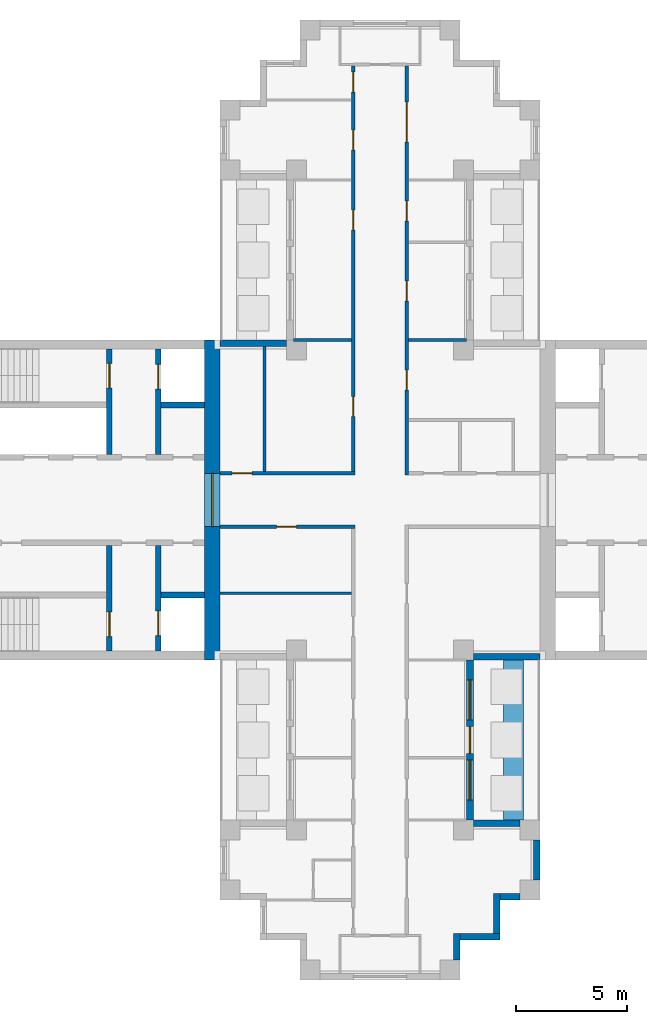
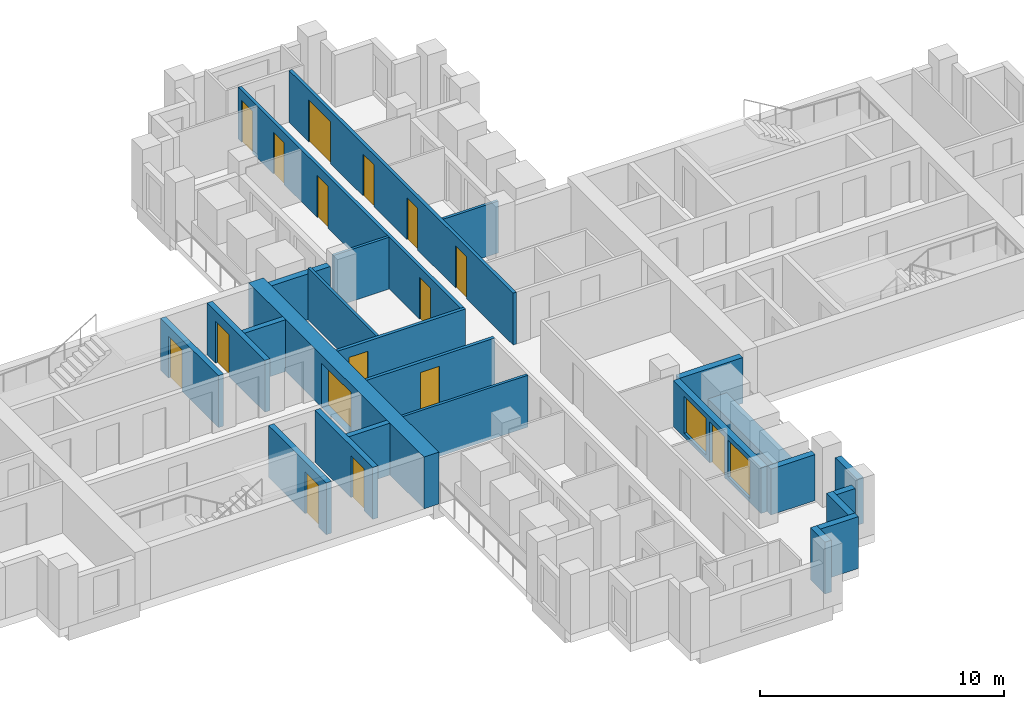
# One storey, part 4 of 9: 25 walls, 16 doors, 2 windows, 18 openings.
"""IFC4 building model written with IfcOpenShell, lengths in metres."""

import ifcopenshell
import ifcopenshell.guid

model = None  # the IFC model being written
_history = None  # IfcOwnerHistory: only IFC2X3 demands one
_inside = {}  # id of a spatial element -> (the spatial element, [elements in it])
_under = {}  # id of a project, library or spatial element -> (it, [spatial elements below it])
_declared = {}  # id of a project -> (the project, [libraries it declares])
_typed = {}  # id of a type object -> (the type object, [elements of that type])
_made_of = {}  # id of a material, layer set ... -> (it, [elements and type objects made of it])


def new_model(schema):
    """Start an empty IFC model of exactly this schema.

    Asked for "IFC4X3", IfcOpenShell would pick the latest addendum, in which some entities
    have other attributes; the version numbers below select the first issue.
    IFC2X3 requires an IfcOwnerHistory on every rooted entity: one is made here for all.
    """
    global model, _history
    if schema == "IFC4X3":
        model = ifcopenshell.file(schema_version=(4, 3, 0, 0))
    else:
        model = ifcopenshell.file(schema=schema)
    _inside.clear()
    _under.clear()
    _declared.clear()
    _typed.clear()
    _made_of.clear()
    _history = None
    if model.schema == "IFC2X3":
        org = make("IfcOrganization", Name="unknown")
        user = make(
            "IfcPersonAndOrganization",
            ThePerson=make("IfcPerson", FamilyName="unknown"),
            TheOrganization=org,
        )
        app = make(
            "IfcApplication",
            ApplicationDeveloper=org,
            Version="unknown",
            ApplicationFullName="unknown",
            ApplicationIdentifier="unknown",
        )
        _history = make(
            "IfcOwnerHistory",
            OwningUser=user,
            OwningApplication=app,
            ChangeAction="ADDED",
            CreationDate=0,
        )
    return model


def make(cls, **values):
    """One entity of the class cls with the attributes given. An attribute that is None is left unset."""
    return model.create_entity(
        cls, **{name: value for name, value in values.items() if value is not None}
    )


def rooted(cls, **values):
    """An entity with a GlobalId (a new one), such as an element, a storey or a relation."""
    return make(cls, GlobalId=ifcopenshell.guid.new(), OwnerHistory=_history, **values)


def si_unit(unit_type, name, prefix=None):
    """IfcSIUnit, for example si_unit("LENGTHUNIT", "METRE", prefix="MILLI")."""
    return make("IfcSIUnit", UnitType=unit_type, Prefix=prefix, Name=name)


def assignment(units):
    """IfcUnitAssignment: the units of a project."""
    return None if units is None else make("IfcUnitAssignment", Units=units)


def point(xyz):
    """IfcCartesianPoint."""
    return None if xyz is None else make("IfcCartesianPoint", Coordinates=xyz)


def direction(xyz):
    """IfcDirection."""
    return None if xyz is None else make("IfcDirection", DirectionRatios=xyz)


def frame(location, z_axis=None, x_axis=None):
    """IfcAxis2Placement3D, a coordinate frame: its origin and axes. An axis left out is left unset."""
    return make(
        "IfcAxis2Placement3D",
        Location=point(location),
        Axis=direction(z_axis),
        RefDirection=direction(x_axis),
    )


def frame_2d(location, x_axis=None):
    """IfcAxis2Placement2D, a coordinate frame in the plane: its origin and x axis."""
    return make(
        "IfcAxis2Placement2D", Location=point(location), RefDirection=direction(x_axis)
    )


def origin():
    """The frame at (0, 0, 0) with its axes left unset."""
    return frame((0.0, 0.0, 0.0))


def place(relative_to, where):
    """IfcLocalPlacement: puts the frame where relative to a parent placement (None: the world)."""
    return make(
        "IfcLocalPlacement", PlacementRelTo=relative_to, RelativePlacement=where
    )


def context(
    kind, dimensions, precision=None, world=None, true_north=None, identifier=None
):
    """IfcGeometricRepresentationContext, for example the 3D "Model" context."""
    return make(
        "IfcGeometricRepresentationContext",
        ContextIdentifier=identifier,
        ContextType=kind,
        CoordinateSpaceDimension=dimensions,
        Precision=precision,
        WorldCoordinateSystem=world,
        TrueNorth=true_north,
    )


def subcontext(parent, identifier, kind, view, scale=None):
    """IfcGeometricRepresentationSubContext, for example "Body" below "Model"."""
    return make(
        "IfcGeometricRepresentationSubContext",
        ContextIdentifier=identifier,
        ContextType=kind,
        ParentContext=parent,
        TargetScale=scale,
        TargetView=view,
    )


def project(units=None, contexts=None):
    """IfcProject with its units and contexts."""
    return rooted(
        "IfcProject",
        Name="project",
        RepresentationContexts=contexts,
        UnitsInContext=assignment(units),
    )


def spatial(cls, under=None, at=None, **own):
    """A site, building, storey or space (cls), placed at a placement, below another one or the project."""
    s = rooted(cls, ObjectPlacement=at, **own)
    if under is not None:
        _under.setdefault(under.id(), (under, []))[1].append(s)
    return s


def profile(cls, at=None, kind="AREA", **sizes):
    """A parametric profile (cls). Its sizes go by their IFC names, for example OverallWidth=200.0."""
    return make(cls, ProfileType=kind, Position=at, **sizes)


def rectangle(**sizes):
    """IfcRectangleProfileDef."""
    return profile("IfcRectangleProfileDef", **sizes)


def extrude(swept, where, along, depth):
    """IfcExtrudedAreaSolid: the profile swept, set in the frame where, extruded along a direction by depth."""
    return make(
        "IfcExtrudedAreaSolid",
        SweptArea=swept,
        Position=where,
        ExtrudedDirection=direction(along),
        Depth=depth,
    )


def shape(context_of_items, identifier, shape_type, items):
    """IfcShapeRepresentation: the items that make up one representation, for example the "Body"."""
    return make(
        "IfcShapeRepresentation",
        ContextOfItems=context_of_items,
        RepresentationIdentifier=identifier,
        RepresentationType=shape_type,
        Items=items,
    )


def material(Name=None, Category=None):
    """IfcMaterial."""
    return make("IfcMaterial", Name=Name, Category=Category)


def layer(
    of_material, thickness, ventilated=None, Name=None, Category=None, Priority=None
):
    """IfcMaterialLayer: one layer of a wall or slab, of a material (None: an air gap)."""
    return make(
        "IfcMaterialLayer",
        Material=of_material,
        LayerThickness=thickness,
        IsVentilated=ventilated,
        Name=Name,
        Category=Category,
        Priority=Priority,
    )


def layer_set(layers, Name=None):
    """IfcMaterialLayerSet."""
    return make("IfcMaterialLayerSet", MaterialLayers=layers, LayerSetName=Name)


def made_of(thing, what):
    """Note that an element or type object is made of a material, layer set ...; save() writes the relation."""
    if what is not None:
        _made_of.setdefault(what.id(), (what, []))[1].append(thing)
    return thing


def type_object(cls, material=None, **own):
    """A type object (cls), such as IfcWallType, which elements share."""
    return made_of(rooted(cls, **own), material)


def element(
    cls,
    number,
    at=None,
    inside=None,
    cuts=None,
    type_object=None,
    material=None,
    context=None,
    identifier="Body",
    shape_type=None,
    held_by="IfcProductDefinitionShape",
    body=None,
    shapes=None,
    **own,
):
    """One element of the class cls, such as IfcWall. Its Tag is "e" and its number.

    at: its placement. inside: the storey or other place that contains it. cuts: it is an
    opening in that element (IfcRelVoidsElement). A single representation is given by context,
    identifier, shape_type and body (its items); several are given by shapes. held_by: the class
    of the entity that holds the representations. save() writes the other relations.
    """
    e = rooted(cls, Tag="e%d" % number, ObjectPlacement=at, **own)
    if body is not None:
        shapes = [shape(context, identifier, shape_type, body)]
    if shapes is not None:
        e.Representation = make(held_by, Representations=shapes)
    if inside is not None:
        _inside.setdefault(inside.id(), (inside, []))[1].append(e)
    if cuts is not None:
        rooted(
            "IfcRelVoidsElement", RelatingBuildingElement=cuts, RelatedOpeningElement=e
        )
    if type_object is not None:
        _typed.setdefault(type_object.id(), (type_object, []))[1].append(e)
    return made_of(e, material)


def fill(opening, filler):
    """IfcRelFillsElement: the door or window that sits in an opening."""
    return rooted(
        "IfcRelFillsElement",
        RelatingOpeningElement=opening,
        RelatedBuildingElement=filler,
    )


def aggregate(whole, parts):
    """IfcRelAggregates: a whole, such as a stair, and the parts it consists of."""
    return rooted("IfcRelAggregates", RelatingObject=whole, RelatedObjects=parts)


def save(model, path):
    """Write the relations noted so far, then the file.

    IfcRelAggregates (storeys below a building ...), IfcRelContainedInSpatialStructure (elements
    in a storey), IfcRelDefinesByType, IfcRelAssociatesMaterial and IfcRelDeclares: one each for
    every whole, place, type object, material and project.
    """
    for whole, parts in _under.values():
        aggregate(whole, parts)
    for where, things in _inside.values():
        rooted(
            "IfcRelContainedInSpatialStructure",
            RelatedElements=things,
            RelatingStructure=where,
        )
    for kind, things in _typed.values():
        rooted("IfcRelDefinesByType", RelatedObjects=things, RelatingType=kind)
    for what, things in _made_of.values():
        rooted("IfcRelAssociatesMaterial", RelatedObjects=things, RelatingMaterial=what)
    for by, libraries in _declared.values():
        rooted("IfcRelDeclares", RelatingContext=by, RelatedDefinitions=libraries)
    model.write(path)


model = new_model("IFC4")

# Units and contexts
model_context = context("Model", 3, precision=1e-05, world=origin(), true_north=direction((0.0, 1.0)))
body_context = subcontext(model_context, "Body", "Model", "MODEL_VIEW")
ifc_project = project(units=[si_unit("LENGTHUNIT", "METRE"), si_unit("AREAUNIT", "SQUARE_METRE"), si_unit("VOLUMEUNIT", "CUBIC_METRE"), si_unit("PLANEANGLEUNIT", "RADIAN"), si_unit("MASSUNIT", "GRAM", prefix="KILO")], contexts=[model_context])

# Site, building, storey
site_placement = place(None, origin())
site = spatial("IfcSite", under=ifc_project, at=site_placement, CompositionType="ELEMENT")
building_placement = place(site_placement, origin())
building = spatial("IfcBuilding", under=site, at=building_placement, Name="Fustian Cross Tower", CompositionType="ELEMENT")
storey_placement = place(building_placement, frame((0.0, 0.0, 216.89990234375)))
storey = spatial("IfcBuildingStorey", under=building, at=storey_placement, Name="L68", CompositionType="ELEMENT", Elevation=216.89990234375)

# Wall, opening, door
ifc_material_1 = material(Name="Plasterboard on steel stud", Category="steel")
ifc_layer_1 = layer(ifc_material_1, 0.14990234375)
ifc_layer_set_1 = layer_set([ifc_layer_1], Name="Plasterboard on steel stud")
wall_type_1 = type_object("IfcWallType", Name="COMPARTMENT WALL 150 EI 60", PredefinedType="PARTITIONING", material=ifc_layer_set_1)
wall_1_placement = place(storey_placement, frame((-7.199951171875, -1.199951171875, 0.0), z_axis=(0.0, 0.0, 1.0), x_axis=(1.0, 0.0, 0.0)))
wall_1 = element("IfcWall", 1, at=wall_1_placement, inside=storey, type_object=wall_type_1, Name="Partition 12", PredefinedType="PARTITIONING", context=body_context, shape_type="SweptSolid", body=[
    extrude(rectangle(XDim=6.074951171875, YDim=0.14990234375, at=frame_2d((3.03759765625, 0.0))), origin(), (0.0, 0.0, 1.0), 2.60009765625),
])
opening_1_placement = place(wall_1_placement, frame((2.550048828125, 0.0, 0.0)))
opening_1 = element("IfcOpeningElement", 2, at=opening_1_placement, cuts=wall_1, Name="Opening D31007", PredefinedType="OPENING", context=body_context, shape_type="SweptSolid", body=[
    extrude(rectangle(XDim=0.89990234375, YDim=2.10009765625, at=frame_2d((0.449951171875, 1.050048828125))), frame((0.0, 0.0849609375, 0.0), z_axis=(0.0, -1.0, 0.0), x_axis=(1.0, 0.0, 0.0)), (0.0, 0.0, 1.0), 0.169921875),
])
ifc_material_2 = material(Name="Timber fire door set", Category="wood")
door_type_1 = type_object("IfcDoorType", Name="FIRE SWING DOOR 900 FD30S", OperationType="SINGLE_SWING_LEFT", PredefinedType="DOOR", material=ifc_material_2)
door_1_placement = place(opening_1_placement, frame((0.89990234375, 0.0, 0.0), z_axis=(0.0, 0.0, 1.0), x_axis=(-1.0, 0.0, 0.0)))
door_1 = element("IfcDoor", 3, at=door_1_placement, inside=storey, type_object=door_type_1, Name="Door D31007", OperationType="SINGLE_SWING_RIGHT", OverallHeight=2.10009765625, OverallWidth=0.89990234375, PredefinedType="DOOR", context=body_context, shape_type="SweptSolid", body=[
    extrude(rectangle(XDim=0.89990234375, YDim=2.10009765625, at=frame_2d((0.449951171875, 1.050048828125))), frame((0.0, 0.02490234375, 0.0), z_axis=(0.0, -1.0, 0.0), x_axis=(1.0, 0.0, 0.0)), (0.0, 0.0, 1.0), 0.050048828125),
])
fill(opening_1, door_1)

wall_2_placement = place(storey_placement, frame((-7.199951171875, 1.199951171875, 0.0), z_axis=(0.0, 0.0, 1.0), x_axis=(1.0, 0.0, 0.0)))
wall_2 = element("IfcWall", 4, at=wall_2_placement, inside=storey, type_object=wall_type_1, Name="Partition 13", PredefinedType="PARTITIONING", context=body_context, shape_type="SweptSolid", body=[
    extrude(rectangle(XDim=6.074951171875, YDim=0.14990234375, at=frame_2d((3.03759765625, 0.0))), origin(), (0.0, 0.0, 1.0), 2.60009765625),
])
opening_2_placement = place(wall_2_placement, frame((0.550048828125, 0.0, 0.0)))
opening_2 = element("IfcOpeningElement", 5, at=opening_2_placement, cuts=wall_2, Name="Opening D31005", PredefinedType="OPENING", context=body_context, shape_type="SweptSolid", body=[
    extrude(rectangle(XDim=0.89990234375, YDim=2.10009765625, at=frame_2d((0.449951171875, 1.050048828125))), frame((0.0, 0.0849609375, 0.0), z_axis=(0.0, -1.0, 0.0), x_axis=(1.0, 0.0, 0.0)), (0.0, 0.0, 1.0), 0.169921875),
])
door_2_placement = place(opening_2_placement, origin())
door_2 = element("IfcDoor", 6, at=door_2_placement, inside=storey, type_object=door_type_1, Name="Door D31005", OperationType="SINGLE_SWING_LEFT", OverallHeight=2.10009765625, OverallWidth=0.89990234375, PredefinedType="DOOR", context=body_context, shape_type="SweptSolid", body=[
    extrude(rectangle(XDim=0.89990234375, YDim=2.10009765625, at=frame_2d((0.449951171875, 1.050048828125))), frame((0.0, 0.02490234375, 0.0), z_axis=(0.0, -1.0, 0.0), x_axis=(1.0, 0.0, 0.0)), (0.0, 0.0, 1.0), 0.050048828125),
])
fill(opening_2, door_2)

# Wall, openings, doors
wall_3_placement = place(storey_placement, frame((-1.199951171875, 1.27490234375, 0.0), z_axis=(0.0, 0.0, 1.0), x_axis=(0.0, 1.0, 0.0)))
wall_3 = element("IfcWall", 7, at=wall_3_placement, inside=storey, type_object=wall_type_1, Name="Partition 31", PredefinedType="PARTITIONING", context=body_context, shape_type="SweptSolid", body=[
    extrude(rectangle(XDim=18.25, YDim=0.14990234375, at=frame_2d((9.125, 0.0))), origin(), (0.0, 0.0, 1.0), 2.60009765625),
])
opening_3_placement = place(wall_3_placement, frame((2.47509765625, 0.0, 0.0)))
opening_3 = element("IfcOpeningElement", 8, at=opening_3_placement, cuts=wall_3, Name="Opening D31004", PredefinedType="OPENING", context=body_context, shape_type="SweptSolid", body=[
    extrude(rectangle(XDim=0.89990234375, YDim=2.10009765625, at=frame_2d((0.449951171875, 1.050048828125))), frame((0.0, 0.0849609375, 0.0), z_axis=(0.0, -1.0, 0.0), x_axis=(1.0, 0.0, 0.0)), (0.0, 0.0, 1.0), 0.169921875),
])
opening_4_placement = place(wall_3_placement, frame((10.875, 0.0, 0.0)))
opening_4 = element("IfcOpeningElement", 9, at=opening_4_placement, cuts=wall_3, Name="Opening D31016", PredefinedType="OPENING", context=body_context, shape_type="SweptSolid", body=[
    extrude(rectangle(XDim=0.89990234375, YDim=2.10009765625, at=frame_2d((0.449951171875, 1.050048828125))), frame((0.0, 0.0849609375, 0.0), z_axis=(0.0, -1.0, 0.0), x_axis=(1.0, 0.0, 0.0)), (0.0, 0.0, 1.0), 0.169921875),
])
opening_5_placement = place(wall_3_placement, frame((14.47509765625, 0.0, 0.0)))
opening_5 = element("IfcOpeningElement", 10, at=opening_5_placement, cuts=wall_3, Name="Opening D31017", PredefinedType="OPENING", context=body_context, shape_type="SweptSolid", body=[
    extrude(rectangle(XDim=0.89990234375, YDim=2.10009765625, at=frame_2d((0.449951171875, 1.050048828125))), frame((0.0, 0.0849609375, 0.0), z_axis=(0.0, -1.0, 0.0), x_axis=(1.0, 0.0, 0.0)), (0.0, 0.0, 1.0), 0.169921875),
])
opening_6_placement = place(wall_3_placement, frame((17.074951171875, 0.0, 0.0)))
opening_6 = element("IfcOpeningElement", 11, at=opening_6_placement, cuts=wall_3, Name="Opening D31018", PredefinedType="OPENING", context=body_context, shape_type="SweptSolid", body=[
    extrude(rectangle(XDim=0.89990234375, YDim=2.10009765625, at=frame_2d((0.449951171875, 1.050048828125))), frame((0.0, 0.0849609375, 0.0), z_axis=(0.0, -1.0, 0.0), x_axis=(1.0, 0.0, 0.0)), (0.0, 0.0, 1.0), 0.169921875),
])
door_3_placement = place(opening_3_placement, origin())
door_3 = element("IfcDoor", 12, at=door_3_placement, inside=storey, type_object=door_type_1, Name="Door D31004", OperationType="SINGLE_SWING_LEFT", OverallHeight=2.10009765625, OverallWidth=0.89990234375, PredefinedType="DOOR", context=body_context, shape_type="SweptSolid", body=[
    extrude(rectangle(XDim=0.89990234375, YDim=2.10009765625, at=frame_2d((0.449951171875, 1.050048828125))), frame((0.0, 0.02490234375, 0.0), z_axis=(0.0, -1.0, 0.0), x_axis=(1.0, 0.0, 0.0)), (0.0, 0.0, 1.0), 0.050048828125),
])
fill(opening_3, door_3)
door_4_placement = place(opening_4_placement, origin())
door_4 = element("IfcDoor", 13, at=door_4_placement, inside=storey, type_object=door_type_1, Name="Door D31016", OperationType="SINGLE_SWING_RIGHT", OverallHeight=2.10009765625, OverallWidth=0.89990234375, PredefinedType="DOOR", context=body_context, shape_type="SweptSolid", body=[
    extrude(rectangle(XDim=0.89990234375, YDim=2.10009765625, at=frame_2d((0.449951171875, 1.050048828125))), frame((0.0, 0.02490234375, 0.0), z_axis=(0.0, -1.0, 0.0), x_axis=(1.0, 0.0, 0.0)), (0.0, 0.0, 1.0), 0.050048828125),
])
fill(opening_4, door_4)
door_5_placement = place(opening_5_placement, origin())
door_5 = element("IfcDoor", 14, at=door_5_placement, inside=storey, type_object=door_type_1, Name="Door D31017", OperationType="SINGLE_SWING_LEFT", OverallHeight=2.10009765625, OverallWidth=0.89990234375, PredefinedType="DOOR", context=body_context, shape_type="SweptSolid", body=[
    extrude(rectangle(XDim=0.89990234375, YDim=2.10009765625, at=frame_2d((0.449951171875, 1.050048828125))), frame((0.0, 0.02490234375, 0.0), z_axis=(0.0, -1.0, 0.0), x_axis=(1.0, 0.0, 0.0)), (0.0, 0.0, 1.0), 0.050048828125),
])
fill(opening_5, door_5)
door_6_placement = place(opening_6_placement, origin())
door_6 = element("IfcDoor", 15, at=door_6_placement, inside=storey, type_object=door_type_1, Name="Door D31018", OperationType="SINGLE_SWING_LEFT", OverallHeight=2.10009765625, OverallWidth=0.89990234375, PredefinedType="DOOR", context=body_context, shape_type="SweptSolid", body=[
    extrude(rectangle(XDim=0.89990234375, YDim=2.10009765625, at=frame_2d((0.449951171875, 1.050048828125))), frame((0.0, 0.02490234375, 0.0), z_axis=(0.0, -1.0, 0.0), x_axis=(1.0, 0.0, 0.0)), (0.0, 0.0, 1.0), 0.050048828125),
])
fill(opening_6, door_6)

wall_4_placement = place(storey_placement, frame((1.199951171875, 1.125, 0.0), z_axis=(0.0, 0.0, 1.0), x_axis=(0.0, 1.0, 0.0)))
wall_4 = element("IfcWall", 16, at=wall_4_placement, inside=storey, type_object=wall_type_1, Name="Partition 39", PredefinedType="PARTITIONING", context=body_context, shape_type="SweptSolid", body=[
    extrude(rectangle(XDim=18.39990234375, YDim=0.14990234375, at=frame_2d((9.199951171875, 0.0))), origin(), (0.0, 0.0, 1.0), 2.60009765625),
])
opening_7_placement = place(wall_4_placement, frame((3.824951171875, 0.0, 0.0)))
opening_7 = element("IfcOpeningElement", 17, at=opening_7_placement, cuts=wall_4, Name="Opening D31003", PredefinedType="OPENING", context=body_context, shape_type="SweptSolid", body=[
    extrude(rectangle(XDim=0.89990234375, YDim=2.10009765625, at=frame_2d((0.449951171875, 1.050048828125))), frame((0.0, 0.0849609375, 0.0), z_axis=(0.0, -1.0, 0.0), x_axis=(1.0, 0.0, 0.0)), (0.0, 0.0, 1.0), 0.169921875),
])
opening_8_placement = place(wall_4_placement, frame((11.425048828125, 0.0, 0.0)))
opening_8 = element("IfcOpeningElement", 18, at=opening_8_placement, cuts=wall_4, Name="Opening D31019", PredefinedType="OPENING", context=body_context, shape_type="SweptSolid", body=[
    extrude(rectangle(XDim=0.89990234375, YDim=2.10009765625, at=frame_2d((0.449951171875, 1.050048828125))), frame((0.0, 0.0849609375, 0.0), z_axis=(0.0, -1.0, 0.0), x_axis=(1.0, 0.0, 0.0)), (0.0, 0.0, 1.0), 0.169921875),
])
opening_9_placement = place(wall_4_placement, frame((7.824951171875, 0.0, 0.0)))
opening_9 = element("IfcOpeningElement", 19, at=opening_9_placement, cuts=wall_4, Name="Opening D31020", PredefinedType="OPENING", context=body_context, shape_type="SweptSolid", body=[
    extrude(rectangle(XDim=0.89990234375, YDim=2.10009765625, at=frame_2d((0.449951171875, 1.050048828125))), frame((0.0, 0.0849609375, 0.0), z_axis=(0.0, -1.0, 0.0), x_axis=(1.0, 0.0, 0.0)), (0.0, 0.0, 1.0), 0.169921875),
])
opening_10_placement = place(wall_4_placement, frame((14.97509765625, 0.0, 0.0)))
opening_10 = element("IfcOpeningElement", 20, at=opening_10_placement, cuts=wall_4, Name="Opening D31021", PredefinedType="OPENING", context=body_context, shape_type="SweptSolid", body=[
    extrude(rectangle(XDim=1.800048828125, YDim=2.10009765625, at=frame_2d((0.89990234375, 1.050048828125))), frame((0.0, 0.0849609375, 0.0), z_axis=(0.0, -1.0, 0.0), x_axis=(1.0, 0.0, 0.0)), (0.0, 0.0, 1.0), 0.169921875),
])
ifc_material_3 = material(Name="Timber fire door set", Category="wood")
door_type_2 = type_object("IfcDoorType", Name="FIRE DOUBLE DOOR 1800 FD30S", OperationType="DOUBLE_DOOR_DOUBLE_SWING", PredefinedType="DOOR", material=ifc_material_3)
door_7_placement = place(opening_10_placement, origin())
door_7 = element("IfcDoor", 21, at=door_7_placement, inside=storey, type_object=door_type_2, Name="Door D31021", OperationType="DOUBLE_DOOR_DOUBLE_SWING", OverallHeight=2.10009765625, OverallWidth=1.800048828125, PredefinedType="DOOR", context=body_context, shape_type="SweptSolid", body=[
    extrude(rectangle(XDim=1.800048828125, YDim=2.10009765625, at=frame_2d((0.89990234375, 1.050048828125))), frame((0.0, 0.02490234375, 0.0), z_axis=(0.0, -1.0, 0.0), x_axis=(1.0, 0.0, 0.0)), (0.0, 0.0, 1.0), 0.050048828125),
])
fill(opening_10, door_7)
door_8_placement = place(opening_7_placement, frame((0.89990234375, 0.0, 0.0), z_axis=(0.0, 0.0, 1.0), x_axis=(-1.0, 0.0, 0.0)))
door_8 = element("IfcDoor", 22, at=door_8_placement, inside=storey, type_object=door_type_1, Name="Door D31003", OperationType="SINGLE_SWING_RIGHT", OverallHeight=2.10009765625, OverallWidth=0.89990234375, PredefinedType="DOOR", context=body_context, shape_type="SweptSolid", body=[
    extrude(rectangle(XDim=0.89990234375, YDim=2.10009765625, at=frame_2d((0.449951171875, 1.050048828125))), frame((0.0, 0.02490234375, 0.0), z_axis=(0.0, -1.0, 0.0), x_axis=(1.0, 0.0, 0.0)), (0.0, 0.0, 1.0), 0.050048828125),
])
fill(opening_7, door_8)
door_9_placement = place(opening_8_placement, frame((0.89990234375, 0.0, 0.0), z_axis=(0.0, 0.0, 1.0), x_axis=(-1.0, 0.0, 0.0)))
door_9 = element("IfcDoor", 23, at=door_9_placement, inside=storey, type_object=door_type_1, Name="Door D31019", OperationType="SINGLE_SWING_RIGHT", OverallHeight=2.10009765625, OverallWidth=0.89990234375, PredefinedType="DOOR", context=body_context, shape_type="SweptSolid", body=[
    extrude(rectangle(XDim=0.89990234375, YDim=2.10009765625, at=frame_2d((0.449951171875, 1.050048828125))), frame((0.0, 0.02490234375, 0.0), z_axis=(0.0, -1.0, 0.0), x_axis=(1.0, 0.0, 0.0)), (0.0, 0.0, 1.0), 0.050048828125),
])
fill(opening_8, door_9)
door_10_placement = place(opening_9_placement, frame((0.89990234375, 0.0, 0.0), z_axis=(0.0, 0.0, 1.0), x_axis=(-1.0, 0.0, 0.0)))
door_10 = element("IfcDoor", 24, at=door_10_placement, inside=storey, type_object=door_type_1, Name="Door D31020", OperationType="SINGLE_SWING_RIGHT", OverallHeight=2.10009765625, OverallWidth=0.89990234375, PredefinedType="DOOR", context=body_context, shape_type="SweptSolid", body=[
    extrude(rectangle(XDim=0.89990234375, YDim=2.10009765625, at=frame_2d((0.449951171875, 1.050048828125))), frame((0.0, 0.02490234375, 0.0), z_axis=(0.0, -1.0, 0.0), x_axis=(1.0, 0.0, 0.0)), (0.0, 0.0, 1.0), 0.050048828125),
])
fill(opening_9, door_10)

# Wall, opening, door
ifc_material_4 = material(Name="Concrete C50/60", Category="concrete")
ifc_layer_2 = layer(ifc_material_4, 0.699951171875)
ifc_layer_set_2 = layer_set([ifc_layer_2], Name="Concrete C50/60")
wall_type_2 = type_object("IfcWallType", Name="CORE END WALL 700 C50/60", PredefinedType="SHEAR", material=ifc_layer_set_2)
wall_5_placement = place(storey_placement, frame((-7.550048828125, -7.199951171875, 0.0), z_axis=(0.0, 0.0, 1.0), x_axis=(0.0, 1.0, 0.0)))
wall_5 = element("IfcWall", 25, at=wall_5_placement, inside=storey, type_object=wall_type_2, Name="Core end wall", PredefinedType="SHEAR", context=body_context, shape_type="SweptSolid", body=[
    extrude(rectangle(XDim=14.39990234375, YDim=0.699951171875, at=frame_2d((7.199951171875, 0.0))), origin(), (0.0, 0.0, 1.0), 2.60009765625),
])
opening_11_placement = place(wall_5_placement, frame((6.0, 0.0, 0.0)))
opening_11 = element("IfcOpeningElement", 26, at=opening_11_placement, cuts=wall_5, Name="Opening CD-29-27", PredefinedType="OPENING", context=body_context, shape_type="SweptSolid", body=[
    extrude(rectangle(XDim=2.39990234375, YDim=2.199951171875, at=frame_2d((1.199951171875, 1.10009765625))), frame((0.0, 0.35986328125, 0.0), z_axis=(0.0, -1.0, 0.0), x_axis=(1.0, 0.0, 0.0)), (0.0, 0.0, 1.0), 0.719970703125),
])
ifc_material_5 = material(Name="Steel", Category="steel")
door_type_3 = type_object("IfcDoorType", Name="FIRE DOOR FD30S DOUBLE 2400X2200", OperationType="DOUBLE_DOOR_DOUBLE_SWING", PredefinedType="DOOR", material=ifc_material_5)
door_11_placement = place(opening_11_placement, origin())
door_11 = element("IfcDoor", 27, at=door_11_placement, inside=storey, type_object=door_type_3, Name="Core door CD-29-27", OperationType="DOUBLE_DOOR_DOUBLE_SWING", OverallHeight=2.199951171875, OverallWidth=2.39990234375, PredefinedType="DOOR", context=body_context, shape_type="SweptSolid", body=[
    extrude(rectangle(XDim=2.39990234375, YDim=2.199951171875, at=frame_2d((1.199951171875, 1.10009765625))), frame((0.0, 0.02490234375, 0.0), z_axis=(0.0, -1.0, 0.0), x_axis=(1.0, 0.0, 0.0)), (0.0, 0.0, 1.0), 0.050048828125),
])
fill(opening_11, door_11)

# Wall
ifc_material_6 = material(Name="Concrete C50/60", Category="concrete")
ifc_layer_3 = layer(ifc_material_6, 0.25)
ifc_layer_set_3 = layer_set([ifc_layer_3], Name="Concrete C50/60")
wall_type_3 = type_object("IfcWallType", Name="CORE SHAFT WALL 250 C50/60", PredefinedType="SHEAR", material=ifc_layer_set_3)
wall_6_placement = place(storey_placement, frame((-7.89990234375, 4.27490234375, 0.0), z_axis=(0.0, 0.0, 1.0), x_axis=(-1.0, 0.0, 0.0)))
element("IfcWall", 28, at=wall_6_placement, inside=storey, type_object=wall_type_3, Name="Core shaft wall", PredefinedType="SHEAR", context=body_context, shape_type="SweptSolid", body=[
    extrude(rectangle(XDim=1.9501953125, YDim=0.25, at=frame_2d((0.97509765625, 0.0))), origin(), (0.0, 0.0, 1.0), 2.60009765625),
])

# Wall, opening, door
wall_7_placement = place(storey_placement, frame((-9.97509765625, 2.050048828125, 0.0), z_axis=(0.0, 0.0, 1.0), x_axis=(0.0, 1.0, 0.0)))
wall_7 = element("IfcWall", 29, at=wall_7_placement, inside=storey, type_object=wall_type_3, Name="Core shaft wall", PredefinedType="SHEAR", context=body_context, shape_type="SweptSolid", body=[
    extrude(rectangle(XDim=4.75, YDim=0.25, at=frame_2d((2.375, 0.0))), origin(), (0.0, 0.0, 1.0), 2.60009765625),
])
opening_12_placement = place(wall_7_placement, frame((2.949951171875, 0.0, 0.0)))
opening_12 = element("IfcOpeningElement", 30, at=opening_12_placement, cuts=wall_7, Name="Opening LD", PredefinedType="OPENING", context=body_context, shape_type="SweptSolid", body=[
    extrude(rectangle(XDim=1.10009765625, YDim=2.10009765625, at=frame_2d((0.550048828125, 1.050048828125))), frame((0.0, 0.135009765625, 0.0), z_axis=(0.0, -1.0, 0.0), x_axis=(1.0, 0.0, 0.0)), (0.0, 0.0, 1.0), 0.27001953125),
])
ifc_material_7 = material(Name="Stainless steel", Category="steel")
door_type_4 = type_object("IfcDoorType", Name="LIFT LANDING DOOR 1100X2100", OperationType="SLIDING_TO_LEFT", PredefinedType="DOOR", material=ifc_material_7)
door_12_placement = place(opening_12_placement, origin())
door_12 = element("IfcDoor", 31, at=door_12_placement, inside=storey, type_object=door_type_4, Name="Landing door FL1W", OperationType="SLIDING_TO_LEFT", OverallHeight=2.10009765625, OverallWidth=1.10009765625, PredefinedType="DOOR", context=body_context, shape_type="SweptSolid", body=[
    extrude(rectangle(XDim=1.10009765625, YDim=2.10009765625, at=frame_2d((0.550048828125, 1.050048828125))), frame((0.0, 0.02490234375, 0.0), z_axis=(0.0, -1.0, 0.0), x_axis=(1.0, 0.0, 0.0)), (0.0, 0.0, 1.0), 0.050048828125),
])
fill(opening_12, door_12)

wall_8_placement = place(storey_placement, frame((-12.175048828125, 2.050048828125, 0.0), z_axis=(0.0, 0.0, 1.0), x_axis=(0.0, 1.0, 0.0)))
wall_8 = element("IfcWall", 32, at=wall_8_placement, inside=storey, type_object=wall_type_3, Name="Core shaft wall", PredefinedType="SHEAR", context=body_context, shape_type="SweptSolid", body=[
    extrude(rectangle(XDim=4.75, YDim=0.25, at=frame_2d((2.375, 0.0))), origin(), (0.0, 0.0, 1.0), 2.60009765625),
])
opening_13_placement = place(wall_8_placement, frame((3.0, 0.0, 0.0)))
opening_13 = element("IfcOpeningElement", 33, at=opening_13_placement, cuts=wall_8, Name="Opening CD-29-21", PredefinedType="OPENING", context=body_context, shape_type="SweptSolid", body=[
    extrude(rectangle(XDim=1.10009765625, YDim=2.10009765625, at=frame_2d((0.550048828125, 1.050048828125))), frame((0.0, 0.135009765625, 0.0), z_axis=(0.0, -1.0, 0.0), x_axis=(1.0, 0.0, 0.0)), (0.0, 0.0, 1.0), 0.27001953125),
])
ifc_material_8 = material(Name="Steel", Category="steel")
door_type_5 = type_object("IfcDoorType", Name="FIRE DOOR FD60S 1100X2100", OperationType="SINGLE_SWING_LEFT", PredefinedType="DOOR", material=ifc_material_8)
door_13_placement = place(opening_13_placement, origin())
door_13 = element("IfcDoor", 34, at=door_13_placement, inside=storey, type_object=door_type_5, Name="Core door CD-29-21", OperationType="SINGLE_SWING_LEFT", OverallHeight=2.10009765625, OverallWidth=1.10009765625, PredefinedType="DOOR", context=body_context, shape_type="SweptSolid", body=[
    extrude(rectangle(XDim=1.10009765625, YDim=2.10009765625, at=frame_2d((0.550048828125, 1.050048828125))), frame((0.0, 0.02490234375, 0.0), z_axis=(0.0, -1.0, 0.0), x_axis=(1.0, 0.0, 0.0)), (0.0, 0.0, 1.0), 0.050048828125),
])
fill(opening_13, door_13)

# Wall
wall_9_placement = place(storey_placement, frame((-7.89990234375, -4.27490234375, 0.0), z_axis=(0.0, 0.0, 1.0), x_axis=(-1.0, 0.0, 0.0)))
element("IfcWall", 35, at=wall_9_placement, inside=storey, type_object=wall_type_3, Name="Core shaft wall", PredefinedType="SHEAR", context=body_context, shape_type="SweptSolid", body=[
    extrude(rectangle(XDim=1.9501953125, YDim=0.25, at=frame_2d((0.97509765625, 0.0))), origin(), (0.0, 0.0, 1.0), 2.60009765625),
])

# Wall, opening, door
wall_10_placement = place(storey_placement, frame((-9.97509765625, -2.050048828125, 0.0), z_axis=(0.0, 0.0, 1.0), x_axis=(0.0, -1.0, 0.0)))
wall_10 = element("IfcWall", 36, at=wall_10_placement, inside=storey, type_object=wall_type_3, Name="Core shaft wall", PredefinedType="SHEAR", context=body_context, shape_type="SweptSolid", body=[
    extrude(rectangle(XDim=4.75, YDim=0.25, at=frame_2d((2.375, 0.0))), origin(), (0.0, 0.0, 1.0), 2.60009765625),
])
opening_14_placement = place(wall_10_placement, frame((2.949951171875, 0.0, 0.0)))
opening_14 = element("IfcOpeningElement", 37, at=opening_14_placement, cuts=wall_10, Name="Opening LD", PredefinedType="OPENING", context=body_context, shape_type="SweptSolid", body=[
    extrude(rectangle(XDim=1.10009765625, YDim=2.10009765625, at=frame_2d((0.550048828125, 1.050048828125))), frame((0.0, 0.135009765625, 0.0), z_axis=(0.0, -1.0, 0.0), x_axis=(1.0, 0.0, 0.0)), (0.0, 0.0, 1.0), 0.27001953125),
])
door_14_placement = place(opening_14_placement, origin())
door_14 = element("IfcDoor", 38, at=door_14_placement, inside=storey, type_object=door_type_4, Name="Landing door SV1W", OperationType="SLIDING_TO_LEFT", OverallHeight=2.10009765625, OverallWidth=1.10009765625, PredefinedType="DOOR", context=body_context, shape_type="SweptSolid", body=[
    extrude(rectangle(XDim=1.10009765625, YDim=2.10009765625, at=frame_2d((0.550048828125, 1.050048828125))), frame((0.0, 0.02490234375, 0.0), z_axis=(0.0, -1.0, 0.0), x_axis=(1.0, 0.0, 0.0)), (0.0, 0.0, 1.0), 0.050048828125),
])
fill(opening_14, door_14)

wall_11_placement = place(storey_placement, frame((-12.175048828125, -2.050048828125, 0.0), z_axis=(0.0, 0.0, 1.0), x_axis=(0.0, -1.0, 0.0)))
wall_11 = element("IfcWall", 39, at=wall_11_placement, inside=storey, type_object=wall_type_3, Name="Core shaft wall", PredefinedType="SHEAR", context=body_context, shape_type="SweptSolid", body=[
    extrude(rectangle(XDim=4.75, YDim=0.25, at=frame_2d((2.375, 0.0))), origin(), (0.0, 0.0, 1.0), 2.60009765625),
])
opening_15_placement = place(wall_11_placement, frame((3.0, 0.0, 0.0)))
opening_15 = element("IfcOpeningElement", 40, at=opening_15_placement, cuts=wall_11, Name="Opening CD-29-22", PredefinedType="OPENING", context=body_context, shape_type="SweptSolid", body=[
    extrude(rectangle(XDim=1.10009765625, YDim=2.10009765625, at=frame_2d((0.550048828125, 1.050048828125))), frame((0.0, 0.135009765625, 0.0), z_axis=(0.0, -1.0, 0.0), x_axis=(1.0, 0.0, 0.0)), (0.0, 0.0, 1.0), 0.27001953125),
])
door_15_placement = place(opening_15_placement, frame((1.10009765625, 0.0, 0.0), z_axis=(0.0, 0.0, 1.0), x_axis=(-1.0, 0.0, 0.0)))
door_15 = element("IfcDoor", 41, at=door_15_placement, inside=storey, type_object=door_type_5, Name="Core door CD-29-22", OperationType="SINGLE_SWING_RIGHT", OverallHeight=2.10009765625, OverallWidth=1.10009765625, PredefinedType="DOOR", context=body_context, shape_type="SweptSolid", body=[
    extrude(rectangle(XDim=1.10009765625, YDim=2.10009765625, at=frame_2d((0.550048828125, 1.050048828125))), frame((0.0, 0.02490234375, 0.0), z_axis=(0.0, -1.0, 0.0), x_axis=(1.0, 0.0, 0.0)), (0.0, 0.0, 1.0), 0.050048828125),
])
fill(opening_15, door_15)

# Walls
ifc_material_9 = material(Name="Concrete C40/50", Category="concrete")
ifc_layer_4 = layer(ifc_material_9, 0.89990234375)
ifc_layer_set_4 = layer_set([ifc_layer_4], Name="Concrete C40/50")
wall_type_4 = type_object("IfcWallType", Name="PK1 PLANTER 900", PredefinedType="PARAPET", material=ifc_layer_set_4)
wall_12_placement = place(storey_placement, frame((6.0, -14.39990234375, 0.0), z_axis=(0.0, 0.0, 1.0), x_axis=(0.0, 1.0, 0.0)))
element("IfcWall", 42, at=wall_12_placement, inside=storey, type_object=wall_type_4, Name="PLANTER", PredefinedType="PARAPET", context=body_context, shape_type="SweptSolid", body=[
    extrude(rectangle(XDim=7.199951171875, YDim=0.89990234375, at=frame_2d((3.60009765625, 0.0))), origin(), (0.0, 0.0, 1.0), 0.800048828125),
])
ifc_material_10 = material(Name="Plasterboard on steel stud", Category="steel")
ifc_layer_5 = layer(ifc_material_10, 0.125)
ifc_layer_set_5 = layer_set([ifc_layer_5], Name="Plasterboard on steel stud")
wall_type_5 = type_object("IfcWallType", Name="WET WALL 125 STUD", PredefinedType="PARTITIONING", material=ifc_layer_set_5)
wall_13_placement = place(storey_placement, frame((-7.199951171875, -4.199951171875, 0.0), z_axis=(0.0, 0.0, 1.0), x_axis=(1.0, 0.0, 0.0)))
element("IfcWall", 43, at=wall_13_placement, inside=storey, type_object=wall_type_5, Name="Partition 11", PredefinedType="PARTITIONING", context=body_context, shape_type="SweptSolid", body=[
    extrude(rectangle(XDim=5.925048828125, YDim=0.125, at=frame_2d((2.96240234375, 0.0))), origin(), (0.0, 0.0, 1.0), 2.60009765625),
])
wall_14_placement = place(storey_placement, frame((-5.199951171875, 1.27490234375, 0.0), z_axis=(0.0, 0.0, 1.0), x_axis=(0.0, 1.0, 0.0)))
element("IfcWall", 44, at=wall_14_placement, inside=storey, type_object=wall_type_5, Name="Partition 14", PredefinedType="PARTITIONING", context=body_context, shape_type="SweptSolid", body=[
    extrude(rectangle(XDim=5.625, YDim=0.125, at=frame_2d((2.8125, 0.0))), origin(), (0.0, 0.0, 1.0), 2.60009765625),
])
for number, where, z_axis, x_axis, name in (
    (45, (-3.89990234375, 7.199951171875, 0.0), (0.0, 0.0, 1.0), (1.0, 0.0, 0.0), "Partition 20"),
    (46, (1.27490234375, 7.199951171875, 0.0), (0.0, 0.0, 1.0), (1.0, 0.0, 0.0), "Partition 42"),
):
    element("IfcWall", number, at=place(storey_placement, frame(where, z_axis=z_axis, x_axis=x_axis)), inside=storey, type_object=wall_type_5, Name=name, PredefinedType="PARTITIONING", context=body_context, shape_type="SweptSolid", body=[
        extrude(rectangle(XDim=2.625, YDim=0.125, at=frame_2d((1.3125, 0.0))), origin(), (0.0, 0.0, 1.0), 2.60009765625),
    ])
ifc_material_11 = material(Name="Dark aluminium cladding on insulated backing wall", Category="aluminium")
ifc_layer_6 = layer(ifc_material_11, 0.300048828125)
ifc_layer_set_6 = layer_set([ifc_layer_6], Name="Dark aluminium cladding on insulated backing wall")
wall_type_6 = type_object("IfcWallType", Name="XW1 EXTERNAL WALL 300", PredefinedType="SOLIDWALL", material=ifc_layer_set_6)
wall_15_placement = place(storey_placement, frame((-4.199951171875, 7.050048828125, 0.0), z_axis=(0.0, 0.0, 1.0), x_axis=(-1.0, 0.0, 0.0)))
element("IfcWall", 47, at=wall_15_placement, inside=storey, type_object=wall_type_6, Name="External wall", PredefinedType="SOLIDWALL", context=body_context, shape_type="SweptSolid", body=[
    extrude(rectangle(XDim=3.0, YDim=0.300048828125, at=frame_2d((1.5, 0.0))), origin(), (0.0, 0.0, 1.0), 2.300048828125),
])
wall_16_placement = place(storey_placement, frame((3.449951171875, -20.699951171875, 0.0), z_axis=(0.0, 0.0, 1.0), x_axis=(0.0, 1.0, 0.0)))
element("IfcWall", 48, at=wall_16_placement, inside=storey, type_object=wall_type_6, Name="External wall", PredefinedType="SOLIDWALL", context=body_context, shape_type="SweptSolid", body=[
    extrude(rectangle(XDim=1.199951171875, YDim=0.300048828125, at=frame_2d((0.60009765625, 0.0))), origin(), (0.0, 0.0, 1.0), 2.60009765625),
])
wall_17_placement = place(storey_placement, frame((3.60009765625, -19.64990234375, 0.0), z_axis=(0.0, 0.0, 1.0), x_axis=(1.0, 0.0, 0.0)))
element("IfcWall", 49, at=wall_17_placement, inside=storey, type_object=wall_type_6, Name="External wall", PredefinedType="SOLIDWALL", context=body_context, shape_type="SweptSolid", body=[
    extrude(rectangle(XDim=1.7998046875, YDim=0.300048828125, at=frame_2d((0.89990234375, 0.0))), origin(), (0.0, 0.0, 1.0), 2.60009765625),
])
wall_18_placement = place(storey_placement, frame((5.25, -19.5, 0.0), z_axis=(0.0, 0.0, 1.0), x_axis=(0.0, 1.0, 0.0)))
element("IfcWall", 50, at=wall_18_placement, inside=storey, type_object=wall_type_6, Name="External wall", PredefinedType="SOLIDWALL", context=body_context, shape_type="SweptSolid", body=[
    extrude(rectangle(XDim=1.800048828125, YDim=0.300048828125, at=frame_2d((0.89990234375, 0.0))), origin(), (0.0, 0.0, 1.0), 2.60009765625),
])
wall_19_placement = place(storey_placement, frame((5.39990234375, -17.85009765625, 0.0), z_axis=(0.0, 0.0, 1.0), x_axis=(1.0, 0.0, 0.0)))
element("IfcWall", 51, at=wall_19_placement, inside=storey, type_object=wall_type_6, Name="External wall", PredefinedType="SOLIDWALL", context=body_context, shape_type="SweptSolid", body=[
    extrude(rectangle(XDim=0.900146484375, YDim=0.300048828125, at=frame_2d((0.4501953125, 0.0))), origin(), (0.0, 0.0, 1.0), 2.60009765625),
])
wall_20_placement = place(storey_placement, frame((7.050048828125, -17.10009765625, 0.0), z_axis=(0.0, 0.0, 1.0), x_axis=(0.0, 1.0, 0.0)))
element("IfcWall", 52, at=wall_20_placement, inside=storey, type_object=wall_type_6, Name="External wall", PredefinedType="SOLIDWALL", context=body_context, shape_type="SweptSolid", body=[
    extrude(rectangle(XDim=1.800048828125, YDim=0.300048828125, at=frame_2d((0.89990234375, 0.0))), origin(), (0.0, 0.0, 1.0), 2.300048828125),
])
wall_21_placement = place(storey_placement, frame((6.300048828125, -14.550048828125, 0.0), z_axis=(0.0, 0.0, 1.0), x_axis=(-1.0, 0.0, 0.0)))
element("IfcWall", 53, at=wall_21_placement, inside=storey, type_object=wall_type_6, Name="External wall", PredefinedType="SOLIDWALL", context=body_context, shape_type="SweptSolid", body=[
    extrude(rectangle(XDim=2.10009765625, YDim=0.300048828125, at=frame_2d((1.050048828125, 0.0))), origin(), (0.0, 0.0, 1.0), 2.300048828125),
])

# Wall, openings, door, windows
wall_22_placement = place(storey_placement, frame((4.050048828125, -14.39990234375, 0.0), z_axis=(0.0, 0.0, 1.0), x_axis=(0.0, 1.0, 0.0)))
wall_22 = element("IfcWall", 54, at=wall_22_placement, inside=storey, type_object=wall_type_6, Name="External wall", PredefinedType="SOLIDWALL", context=body_context, shape_type="SweptSolid", body=[
    extrude(rectangle(XDim=7.199951171875, YDim=0.300048828125, at=frame_2d((3.60009765625, 0.0))), origin(), (0.0, 0.0, 1.0), 2.300048828125),
])
opening_16_placement = place(wall_22_placement, frame((3.0, 0.0, 0.0)))
opening_16 = element("IfcOpeningElement", 55, at=opening_16_placement, cuts=wall_22, Name="Opening XD3", PredefinedType="OPENING", context=body_context, shape_type="SweptSolid", body=[
    extrude(rectangle(XDim=1.199951171875, YDim=2.050048828125, at=frame_2d((0.60009765625, 1.02490234375))), frame((0.0, 0.159912109375, 0.0), z_axis=(0.0, -1.0, 0.0), x_axis=(1.0, 0.0, 0.0)), (0.0, 0.0, 1.0), 0.320068359375),
])
opening_17_placement = place(wall_22_placement, frame((0.89990234375, 0.0, 0.199951171875)))
opening_17 = element("IfcOpeningElement", 56, at=opening_17_placement, cuts=wall_22, Name="Opening WN2", PredefinedType="OPENING", context=body_context, shape_type="SweptSolid", body=[
    extrude(rectangle(XDim=1.800048828125, YDim=1.85009765625, at=frame_2d((0.89990234375, 0.925048828125))), frame((0.0, 0.159912109375, 0.0), z_axis=(0.0, -1.0, 0.0), x_axis=(1.0, 0.0, 0.0)), (0.0, 0.0, 1.0), 0.320068359375),
])
opening_18_placement = place(wall_22_placement, frame((4.5, 0.0, 0.199951171875)))
opening_18 = element("IfcOpeningElement", 57, at=opening_18_placement, cuts=wall_22, Name="Opening WN2", PredefinedType="OPENING", context=body_context, shape_type="SweptSolid", body=[
    extrude(rectangle(XDim=1.800048828125, YDim=1.85009765625, at=frame_2d((0.89990234375, 0.925048828125))), frame((0.0, 0.159912109375, 0.0), z_axis=(0.0, -1.0, 0.0), x_axis=(1.0, 0.0, 0.0)), (0.0, 0.0, 1.0), 0.320068359375),
])
ifc_material_12 = material(Name="Dark anodised aluminium and double glazing", Category="aluminium")
door_type_6 = type_object("IfcDoorType", Name="ED1 BALCONY DOOR 1200X2050", OperationType="SINGLE_SWING_LEFT", PredefinedType="DOOR", material=ifc_material_12)
door_16_placement = place(opening_16_placement, origin())
door_16 = element("IfcDoor", 58, at=door_16_placement, inside=storey, type_object=door_type_6, Name="Balcony door", OperationType="SINGLE_SWING_LEFT", OverallHeight=2.050048828125, OverallWidth=1.199951171875, PredefinedType="DOOR", context=body_context, shape_type="SweptSolid", body=[
    extrude(rectangle(XDim=1.199951171875, YDim=2.050048828125, at=frame_2d((0.60009765625, 1.02490234375))), frame((0.0, 0.02490234375, 0.0), z_axis=(0.0, -1.0, 0.0), x_axis=(1.0, 0.0, 0.0)), (0.0, 0.0, 1.0), 0.050048828125),
])
fill(opening_16, door_16)
ifc_material_13 = material(Name="Dark anodised aluminium and double glazing", Category="aluminium")
window_type = type_object("IfcWindowType", Name="WN2 WINDOW 1800X1850", PartitioningType="SINGLE_PANEL", PredefinedType="WINDOW", material=ifc_material_13)
window_1_placement = place(opening_17_placement, origin())
window_1 = element("IfcWindow", 59, at=window_1_placement, inside=storey, type_object=window_type, Name="Window", OverallHeight=1.85009765625, OverallWidth=1.800048828125, PartitioningType="SINGLE_PANEL", PredefinedType="WINDOW", context=body_context, shape_type="SweptSolid", body=[
    extrude(rectangle(XDim=1.800048828125, YDim=1.85009765625, at=frame_2d((0.89990234375, 0.925048828125))), frame((0.0, 0.030029296875, 0.0), z_axis=(0.0, -1.0, 0.0), x_axis=(1.0, 0.0, 0.0)), (0.0, 0.0, 1.0), 0.06005859375),
])
fill(opening_17, window_1)
window_2_placement = place(opening_18_placement, origin())
window_2 = element("IfcWindow", 60, at=window_2_placement, inside=storey, type_object=window_type, Name="Window", OverallHeight=1.85009765625, OverallWidth=1.800048828125, PartitioningType="SINGLE_PANEL", PredefinedType="WINDOW", context=body_context, shape_type="SweptSolid", body=[
    extrude(rectangle(XDim=1.800048828125, YDim=1.85009765625, at=frame_2d((0.89990234375, 0.925048828125))), frame((0.0, 0.030029296875, 0.0), z_axis=(0.0, -1.0, 0.0), x_axis=(1.0, 0.0, 0.0)), (0.0, 0.0, 1.0), 0.06005859375),
])
fill(opening_18, window_2)

# Wall
wall_23_placement = place(storey_placement, frame((4.199951171875, -7.050048828125, 0.0), z_axis=(0.0, 0.0, 1.0), x_axis=(1.0, 0.0, 0.0)))
element("IfcWall", 61, at=wall_23_placement, inside=storey, type_object=wall_type_6, Name="External wall", PredefinedType="SOLIDWALL", context=body_context, shape_type="SweptSolid", body=[
    extrude(rectangle(XDim=3.0, YDim=0.300048828125, at=frame_2d((1.5, 0.0))), origin(), (0.0, 0.0, 1.0), 2.300048828125),
])

save(model, "model.ifc")
